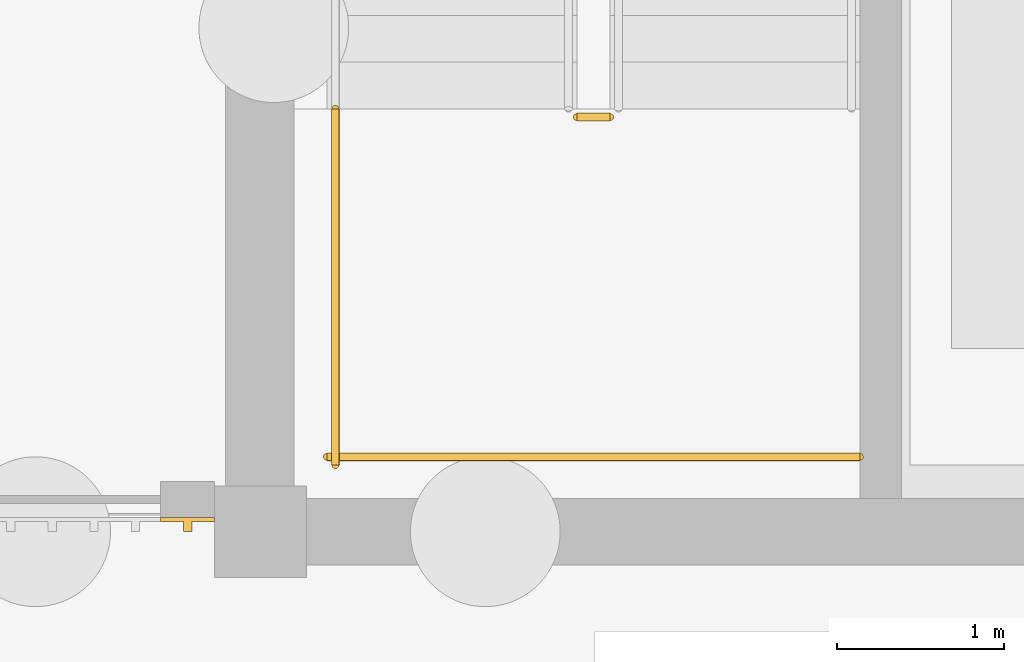
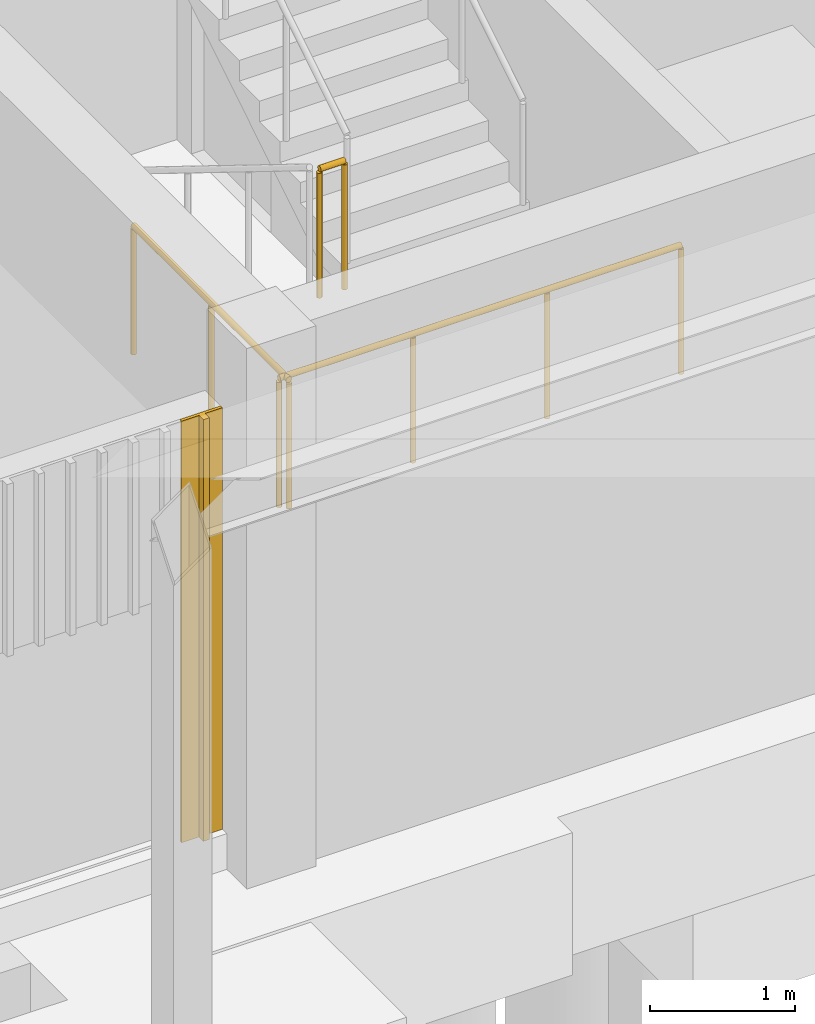
# One storey, part 91 of 106: 3 railings, 1 covering.
"""IFC4 building model written with IfcOpenShell, lengths in metres."""

from ifc_helpers import new_model, si_unit, direction, frame, origin, origin_2d, place, context, subcontext, project, spatial, polyline, circle, outline, extrude, source, transform, mapped, material, layer, layer_set, type_object, element, save


model = new_model("IFC4")

# Units and contexts
model_context = context("Model", 3, precision=1e-05, world=origin(), true_north=direction((0.0, 1.0)))
body_context = subcontext(model_context, "Body", "Model", "MODEL_VIEW")
ifc_project = project(units=[si_unit("LENGTHUNIT", "METRE"), si_unit("AREAUNIT", "SQUARE_METRE"), si_unit("VOLUMEUNIT", "CUBIC_METRE"), si_unit("PLANEANGLEUNIT", "RADIAN"), si_unit("MASSUNIT", "GRAM", prefix="KILO")], contexts=[model_context])

# Site, building, storey
site_placement = place(None, origin())
site = spatial("IfcSite", under=ifc_project, at=site_placement, CompositionType="ELEMENT")
building_placement = place(site_placement, origin())
building = spatial("IfcBuilding", under=site, at=building_placement, Name="Merrow Basin Faculty of Sciences", CompositionType="ELEMENT")
storey_placement = place(building_placement, origin())
storey = spatial("IfcBuildingStorey", under=building, at=storey_placement, Name="L00", CompositionType="ELEMENT", Elevation=0.0)

# Railings
ifc_material_1 = material(Name="Steel ASTM A36", Category="steel")
railing_type = type_object("IfcRailingType", Name="Steel guard 1100", PredefinedType="GUARDRAIL", material=ifc_material_1)
railing_1_placement = place(storey_placement, frame((64.89990234375, 63.489990234375, 2.25)))
element("IfcRailing", 1, at=railing_1_placement, inside=storey, type_object=railing_type, Name="L00 ST-V2-S stair guard 2", PredefinedType="GUARDRAIL", context=body_context, shape_type="SweptSolid", body=[
    extrude(circle(Radius=0.02392578125, at=origin_2d()), frame((0.0, 0.0, 1.076171875), z_axis=(1.0, 0.0, 0.0), x_axis=(0.0, 1.0, 0.0)), (0.0, 0.0, 1.0), 0.2001953125),
    extrude(circle(Radius=0.02099609375, at=origin_2d()), origin(), (0.0, 0.0, 1.0), 1.052001953125),
    extrude(circle(Radius=0.02099609375, at=origin_2d()), frame((0.2001953125, 0.0, 0.0)), (0.0, 0.0, 1.0), 1.052001953125),
])
railing_2_placement = place(storey_placement, frame((63.449951171875, 63.5400390625, 2.25)))
element("IfcRailing", 2, at=railing_2_placement, inside=storey, type_object=railing_type, Name="L00 ST-V2-S stair guard 3", PredefinedType="GUARDRAIL", context=body_context, shape_type="SweptSolid", body=[
    extrude(circle(Radius=0.02392578125, at=origin_2d()), frame((0.0, 0.0, 1.076171875), z_axis=(0.0, -1.0, 0.0), x_axis=(1.0, 0.0, 0.0)), (0.0, 0.0, 1.0), 2.14013671875),
    extrude(circle(Radius=0.02099609375, at=origin_2d()), origin(), (0.0, 0.0, 1.0), 1.052001953125),
    extrude(circle(Radius=0.02099609375, at=origin_2d()), frame((0.0, -1.070068359375, 0.0)), (0.0, 0.0, 1.0), 1.052001953125),
    extrude(circle(Radius=0.02099609375, at=origin_2d()), frame((0.0, -2.14013671875, 0.0)), (0.0, 0.0, 1.0), 1.052001953125),
])
railing_3_placement = place(storey_placement, frame((63.39990234375, 61.449951171875, 2.25)))
element("IfcRailing", 3, at=railing_3_placement, inside=storey, type_object=railing_type, Name="L00 ST-V2-S stair guard 4", PredefinedType="GUARDRAIL", context=body_context, shape_type="SweptSolid", body=[
    extrude(circle(Radius=0.02392578125, at=origin_2d()), frame((0.0, 0.0, 1.076171875), z_axis=(1.0, 0.0, 0.0), x_axis=(0.0, 1.0, 0.0)), (0.0, 0.0, 1.0), 3.2001953125),
    extrude(circle(Radius=0.02099609375, at=origin_2d()), origin(), (0.0, 0.0, 1.0), 1.052001953125),
    extrude(circle(Radius=0.02099609375, at=origin_2d()), frame((1.066650390625, 0.0, 0.0)), (0.0, 0.0, 1.0), 1.052001953125),
    extrude(circle(Radius=0.02099609375, at=origin_2d()), frame((2.133544921875, 0.0, 0.0)), (0.0, 0.0, 1.0), 1.052001953125),
    extrude(circle(Radius=0.02099609375, at=origin_2d()), frame((3.2001953125, 0.0, 0.0)), (0.0, 0.0, 1.0), 1.052001953125),
])

# Covering
ifc_material_2 = material(Name="Larch timber", Category="wood")
ifc_layer = layer(ifc_material_2, 0.0849609375)
ifc_layer_set = layer_set([ifc_layer], Name="Larch batten cladding 85")
covering_type = type_object("IfcCoveringType", Name="Larch batten cladding 85", PredefinedType="CLADDING", material=ifc_layer_set)
shared_shape = source(origin(), body_context, "Body", "SweptSolid", [
    extrude(outline(polyline([(0.0, 0.0), (0.324951171875, 0.0), (0.324951171875, 0.02490234375), (0.18701171875, 0.02490234375), (0.18701171875, 0.0849609375), (0.136962890625, 0.0849609375), (0.136962890625, 0.02490234375), (0.0, 0.02490234375), (0.0, 0.0)])), origin(), (0.0, 0.0, 1.0), 3.550048828125),
])
covering_placement = place(storey_placement, frame((62.72509765625, 61.0849609375, 0.0), z_axis=(0.0, 0.0, 1.0), x_axis=(-1.0, 0.0, 0.0)))
element("IfcCovering", 4, at=covering_placement, inside=storey, type_object=covering_type, Name="Larch batten cladding", PredefinedType="CLADDING", context=body_context, shape_type="MappedRepresentation", body=[
    mapped(shared_shape, transform((0.0, 0.0, 0.0), scale=1.0)),
])

save(model, "model.ifc")
